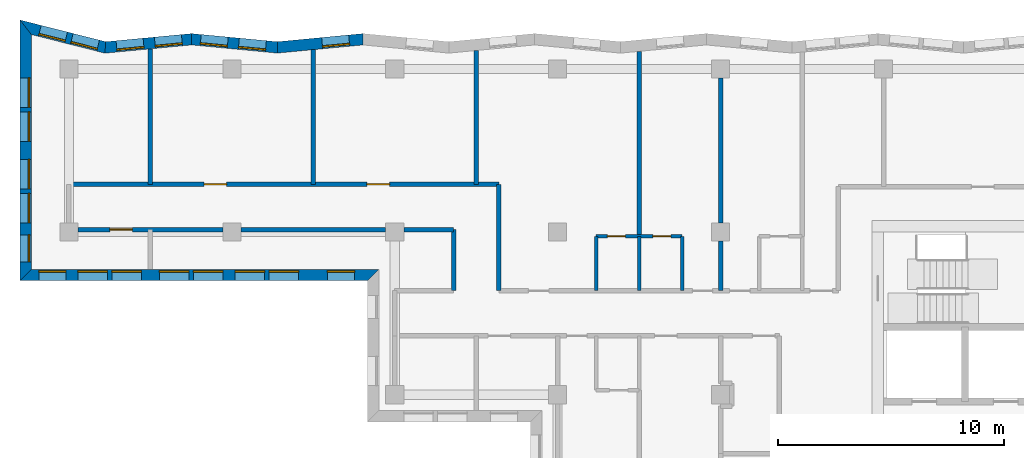
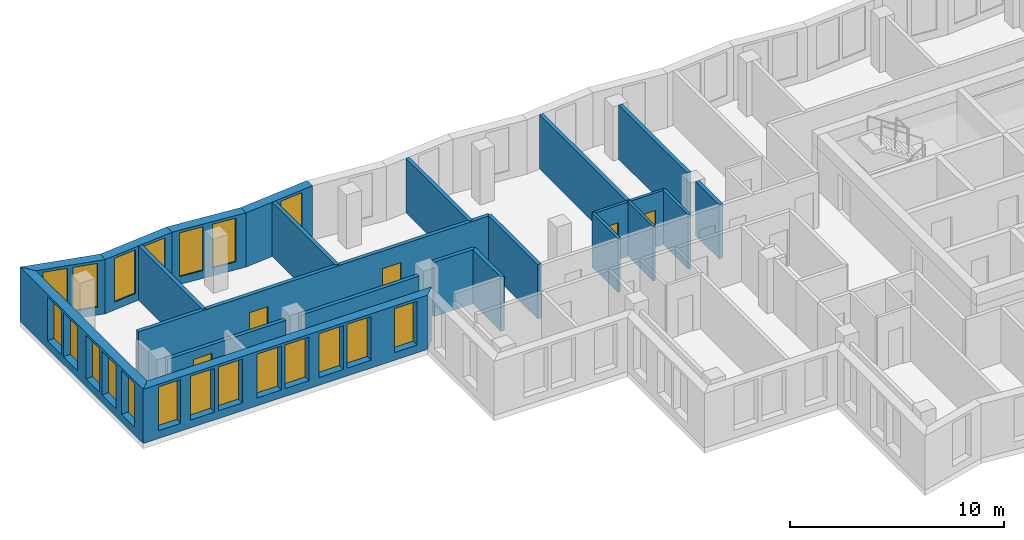
# One storey, part 5 of 11: 22 walls, 20 windows, 5 doors, 25 openings.
"""IFC4 building model written with IfcOpenShell, lengths in metres."""

from ifc_helpers import new_model, si_unit, direction, frame, frame_2d, origin, place, context, subcontext, project, spatial, polyline, rectangle, outline, extrude, material, layer, layer_set, type_object, element, fill, save


model = new_model("IFC4")

# Units and contexts
model_context = context("Model", 3, precision=1e-05, world=origin(), true_north=direction((0.0, 1.0)))
body_context = subcontext(model_context, "Body", "Model", "MODEL_VIEW")
ifc_project = project(units=[si_unit("LENGTHUNIT", "METRE"), si_unit("AREAUNIT", "SQUARE_METRE"), si_unit("VOLUMEUNIT", "CUBIC_METRE"), si_unit("PLANEANGLEUNIT", "RADIAN"), si_unit("MASSUNIT", "GRAM", prefix="KILO")], contexts=[model_context])

# Site, building, storey
site_placement = place(None, origin())
site = spatial("IfcSite", under=ifc_project, at=site_placement, CompositionType="ELEMENT")
building_placement = place(site_placement, origin())
building = spatial("IfcBuilding", under=site, at=building_placement, Name="Windrow Commons", CompositionType="ELEMENT")
storey_placement = place(building_placement, frame((0.0, 0.0, 196.4)))
storey = spatial("IfcBuildingStorey", under=building, at=storey_placement, Name="L53", CompositionType="ELEMENT", Elevation=196.4)

# Wall, opening, window
ifc_material_1 = material(Name="Brick masonry, red clay brick", Category="masonry")
ifc_layer_1 = layer(ifc_material_1, 0.5)
ifc_layer_set_1 = layer_set([ifc_layer_1], Name="Brick facade wall 500")
wall_type_1 = type_object("IfcWallType", Name="Brick facade wall 500", PredefinedType="SOLIDWALL", material=ifc_layer_set_1)
wall_1_placement = place(storey_placement, frame((34.603, 73.3099, 0.0), z_axis=(0.0, 0.0, 1.0), x_axis=(-0.9954966527, -0.0947967005, 0.0)))
wall_1 = element("IfcWall", 1, at=wall_1_placement, inside=storey, type_object=wall_type_1, Name="Brick facade wall L53 29", PredefinedType="SOLIDWALL", context=body_context, shape_type="SweptSolid", body=[
    extrude(outline(polyline([(-0.0238, -0.25), (3.7844, -0.25), (3.832, 0.25), (0.0238, 0.25), (-0.0238, -0.25)])), origin(), (0.0, 0.0, 1.0), 3.1),
])
opening_1_placement = place(wall_1_placement, frame((0.6184, 0.0, 0.45)))
opening_1 = element("IfcOpeningElement", 2, at=opening_1_placement, cuts=wall_1, Name="Opening W7E", PredefinedType="OPENING", context=body_context, shape_type="SweptSolid", body=[
    extrude(rectangle(XDim=1.2, YDim=2.5, at=frame_2d((0.6, 1.25))), frame((0.0, 0.26, 0.0), z_axis=(0.0, -1.0, 0.0), x_axis=(1.0, 0.0, 0.0)), (0.0, 0.0, 1.0), 0.52),
])
ifc_material_2 = material(Name="Clear float glass in anodised aluminium frame", Category="aluminium")
window_type_1 = type_object("IfcWindowType", Name="Window W7 notch 1200x2500", PartitioningType="SINGLE_PANEL", PredefinedType="WINDOW", material=ifc_material_2)
window_1_placement = place(opening_1_placement, origin())
window_1 = element("IfcWindow", 3, at=window_1_placement, inside=storey, type_object=window_type_1, Name="Window L53 29.1", OverallHeight=2.5, OverallWidth=1.2, PartitioningType="SINGLE_PANEL", PredefinedType="WINDOW", context=body_context, shape_type="SweptSolid", body=[
    extrude(rectangle(XDim=1.2, YDim=2.5, at=frame_2d((0.6, 1.25))), frame((0.0, 0.18, 0.0), z_axis=(0.0, -1.0, 0.0), x_axis=(1.0, 0.0, 0.0)), (0.0, 0.0, 1.0), 0.06),
])
fill(opening_1, window_1)

# Wall, openings, windows
wall_2_placement = place(storey_placement, frame((30.812, 72.9489, 0.0), z_axis=(0.0, 0.0, 1.0), x_axis=(-0.9954966527, 0.0947967005, 0.0)))
wall_2 = element("IfcWall", 4, at=wall_2_placement, inside=storey, type_object=wall_type_1, Name="Brick facade wall L53 30", PredefinedType="SOLIDWALL", context=body_context, shape_type="SweptSolid", body=[
    extrude(outline(polyline([(0.0238, -0.25), (3.832, -0.25), (3.7844, 0.25), (-0.0238, 0.25), (0.0238, -0.25)])), origin(), (0.0, 0.0, 1.0), 3.1),
])
opening_2_placement = place(wall_2_placement, frame((0.5106, 0.0, 0.45)))
opening_2 = element("IfcOpeningElement", 5, at=opening_2_placement, cuts=wall_2, Name="Opening W7E", PredefinedType="OPENING", context=body_context, shape_type="SweptSolid", body=[
    extrude(rectangle(XDim=1.2, YDim=2.5, at=frame_2d((0.6, 1.25))), frame((0.0, 0.26, 0.0), z_axis=(0.0, -1.0, 0.0), x_axis=(1.0, 0.0, 0.0)), (0.0, 0.0, 1.0), 0.52),
])
opening_3_placement = place(wall_2_placement, frame((2.2027, 0.0, 0.45)))
opening_3 = element("IfcOpeningElement", 6, at=opening_3_placement, cuts=wall_2, Name="Opening W7E", PredefinedType="OPENING", context=body_context, shape_type="SweptSolid", body=[
    extrude(rectangle(XDim=1.2, YDim=2.5, at=frame_2d((0.6, 1.25))), frame((0.0, 0.26, 0.0), z_axis=(0.0, -1.0, 0.0), x_axis=(1.0, 0.0, 0.0)), (0.0, 0.0, 1.0), 0.52),
])
window_2_placement = place(opening_2_placement, origin())
window_2 = element("IfcWindow", 7, at=window_2_placement, inside=storey, type_object=window_type_1, Name="Window L53 30.1", OverallHeight=2.5, OverallWidth=1.2, PartitioningType="SINGLE_PANEL", PredefinedType="WINDOW", context=body_context, shape_type="SweptSolid", body=[
    extrude(rectangle(XDim=1.2, YDim=2.5, at=frame_2d((0.6, 1.25))), frame((0.0, 0.18, 0.0), z_axis=(0.0, -1.0, 0.0), x_axis=(1.0, 0.0, 0.0)), (0.0, 0.0, 1.0), 0.06),
])
fill(opening_2, window_2)
window_3_placement = place(opening_3_placement, origin())
window_3 = element("IfcWindow", 8, at=window_3_placement, inside=storey, type_object=window_type_1, Name="Window L53 30.2", OverallHeight=2.5, OverallWidth=1.2, PartitioningType="SINGLE_PANEL", PredefinedType="WINDOW", context=body_context, shape_type="SweptSolid", body=[
    extrude(rectangle(XDim=1.2, YDim=2.5, at=frame_2d((0.6, 1.25))), frame((0.0, 0.18, 0.0), z_axis=(0.0, -1.0, 0.0), x_axis=(1.0, 0.0, 0.0)), (0.0, 0.0, 1.0), 0.06),
])
fill(opening_3, window_3)

wall_3_placement = place(storey_placement, frame((27.021, 73.3099, 0.0), z_axis=(0.0, 0.0, 1.0), x_axis=(-0.9954953552, -0.0948103255, 0.0)))
wall_3 = element("IfcWall", 9, at=wall_3_placement, inside=storey, type_object=wall_type_1, Name="Brick facade wall L53 31", PredefinedType="SOLIDWALL", context=body_context, shape_type="SweptSolid", body=[
    extrude(outline(polyline([(-0.0238, -0.25), (3.7844, -0.25), (3.871, 0.25), (0.0238, 0.25), (-0.0238, -0.25)])), origin(), (0.0, 0.0, 1.0), 3.1),
])
opening_4_placement = place(wall_3_placement, frame((0.4265, 0.0, 0.45)))
opening_4 = element("IfcOpeningElement", 10, at=opening_4_placement, cuts=wall_3, Name="Opening W7E", PredefinedType="OPENING", context=body_context, shape_type="SweptSolid", body=[
    extrude(rectangle(XDim=1.2, YDim=2.5, at=frame_2d((0.6, 1.25))), frame((0.0, 0.26, 0.0), z_axis=(0.0, -1.0, 0.0), x_axis=(1.0, 0.0, 0.0)), (0.0, 0.0, 1.0), 0.52),
])
opening_5_placement = place(wall_3_placement, frame((2.1285, 0.0, 0.45)))
opening_5 = element("IfcOpeningElement", 11, at=opening_5_placement, cuts=wall_3, Name="Opening W7E", PredefinedType="OPENING", context=body_context, shape_type="SweptSolid", body=[
    extrude(rectangle(XDim=1.2, YDim=2.5, at=frame_2d((0.6, 1.25))), frame((0.0, 0.26, 0.0), z_axis=(0.0, -1.0, 0.0), x_axis=(1.0, 0.0, 0.0)), (0.0, 0.0, 1.0), 0.52),
])
window_4_placement = place(opening_4_placement, origin())
window_4 = element("IfcWindow", 12, at=window_4_placement, inside=storey, type_object=window_type_1, Name="Window L53 31.1", OverallHeight=2.5, OverallWidth=1.2, PartitioningType="SINGLE_PANEL", PredefinedType="WINDOW", context=body_context, shape_type="SweptSolid", body=[
    extrude(rectangle(XDim=1.2, YDim=2.5, at=frame_2d((0.6, 1.25))), frame((0.0, 0.18, 0.0), z_axis=(0.0, -1.0, 0.0), x_axis=(1.0, 0.0, 0.0)), (0.0, 0.0, 1.0), 0.06),
])
fill(opening_4, window_4)
window_5_placement = place(opening_5_placement, origin())
window_5 = element("IfcWindow", 13, at=window_5_placement, inside=storey, type_object=window_type_1, Name="Window L53 31.2", OverallHeight=2.5, OverallWidth=1.2, PartitioningType="SINGLE_PANEL", PredefinedType="WINDOW", context=body_context, shape_type="SweptSolid", body=[
    extrude(rectangle(XDim=1.2, YDim=2.5, at=frame_2d((0.6, 1.25))), frame((0.0, 0.18, 0.0), z_axis=(0.0, -1.0, 0.0), x_axis=(1.0, 0.0, 0.0)), (0.0, 0.0, 1.0), 0.06),
])
fill(opening_5, window_5)

wall_4_placement = place(storey_placement, frame((23.2106, 72.947, 0.0), z_axis=(0.0, 0.0, 1.0), x_axis=(-0.9693406445, 0.2457208068, 0.0)))
wall_4 = element("IfcWall", 14, at=wall_4_placement, inside=storey, type_object=wall_type_1, Name="Brick facade wall L53 32", PredefinedType="SOLIDWALL", context=body_context, shape_type="SweptSolid", body=[
    extrude(outline(polyline([(0.0433, -0.25), (3.9542, -0.25), (3.3117, 0.25), (-0.0433, 0.25), (0.0433, -0.25)])), origin(), (0.0, 0.0, 1.0), 3.1),
])
opening_6_placement = place(wall_4_placement, frame((0.3308, 0.0, 0.45)))
opening_6 = element("IfcOpeningElement", 15, at=opening_6_placement, cuts=wall_4, Name="Opening W7E", PredefinedType="OPENING", context=body_context, shape_type="SweptSolid", body=[
    extrude(rectangle(XDim=1.2, YDim=2.5, at=frame_2d((0.6, 1.25))), frame((0.0, 0.26, 0.0), z_axis=(0.0, -1.0, 0.0), x_axis=(1.0, 0.0, 0.0)), (0.0, 0.0, 1.0), 0.52),
])
opening_7_placement = place(wall_4_placement, frame((1.7866, 0.0, 0.45)))
opening_7 = element("IfcOpeningElement", 16, at=opening_7_placement, cuts=wall_4, Name="Opening W7E", PredefinedType="OPENING", context=body_context, shape_type="SweptSolid", body=[
    extrude(rectangle(XDim=1.2, YDim=2.5, at=frame_2d((0.6, 1.25))), frame((0.0, 0.26, 0.0), z_axis=(0.0, -1.0, 0.0), x_axis=(1.0, 0.0, 0.0)), (0.0, 0.0, 1.0), 0.52),
])
window_6_placement = place(opening_6_placement, origin())
window_6 = element("IfcWindow", 17, at=window_6_placement, inside=storey, type_object=window_type_1, Name="Window L53 32.1", OverallHeight=2.5, OverallWidth=1.2, PartitioningType="SINGLE_PANEL", PredefinedType="WINDOW", context=body_context, shape_type="SweptSolid", body=[
    extrude(rectangle(XDim=1.2, YDim=2.5, at=frame_2d((0.6, 1.25))), frame((0.0, 0.18, 0.0), z_axis=(0.0, -1.0, 0.0), x_axis=(1.0, 0.0, 0.0)), (0.0, 0.0, 1.0), 0.06),
])
fill(opening_6, window_6)
window_7_placement = place(opening_7_placement, origin())
window_7 = element("IfcWindow", 18, at=window_7_placement, inside=storey, type_object=window_type_1, Name="Window L53 32.2", OverallHeight=2.5, OverallWidth=1.2, PartitioningType="SINGLE_PANEL", PredefinedType="WINDOW", context=body_context, shape_type="SweptSolid", body=[
    extrude(rectangle(XDim=1.2, YDim=2.5, at=frame_2d((0.6, 1.25))), frame((0.0, 0.18, 0.0), z_axis=(0.0, -1.0, 0.0), x_axis=(1.0, 0.0, 0.0)), (0.0, 0.0, 1.0), 0.06),
])
fill(opening_7, window_7)

wall_5_placement = place(storey_placement, frame((19.689, 73.8397, 0.0), z_axis=(0.0, 0.0, 1.0), x_axis=(0.0, -1.0, 0.0)))
wall_5 = element("IfcWall", 19, at=wall_5_placement, inside=storey, type_object=wall_type_1, Name="Brick facade wall L53 33", PredefinedType="SOLIDWALL", context=body_context, shape_type="SweptSolid", body=[
    extrude(outline(polyline([(-0.3213, -0.25), (11.2007, -0.25), (10.7007, 0.25), (0.3213, 0.25), (-0.3213, -0.25)])), origin(), (0.0, 0.0, 1.0), 3.1),
])
opening_8_placement = place(wall_5_placement, frame((2.2397, 0.0, 0.45)))
opening_8 = element("IfcOpeningElement", 20, at=opening_8_placement, cuts=wall_5, Name="Opening W1Q", PredefinedType="OPENING", context=body_context, shape_type="SweptSolid", body=[
    extrude(rectangle(XDim=1.3, YDim=2.5, at=frame_2d((0.65, 1.25))), frame((0.0, 0.26, 0.0), z_axis=(0.0, -1.0, 0.0), x_axis=(1.0, 0.0, 0.0)), (0.0, 0.0, 1.0), 0.52),
])
opening_9_placement = place(wall_5_placement, frame((3.7397, 0.0, 0.45)))
opening_9 = element("IfcOpeningElement", 21, at=opening_9_placement, cuts=wall_5, Name="Opening W1Q", PredefinedType="OPENING", context=body_context, shape_type="SweptSolid", body=[
    extrude(rectangle(XDim=1.3, YDim=2.5, at=frame_2d((0.65, 1.25))), frame((0.0, 0.26, 0.0), z_axis=(0.0, -1.0, 0.0), x_axis=(1.0, 0.0, 0.0)), (0.0, 0.0, 1.0), 0.52),
])
opening_10_placement = place(wall_5_placement, frame((5.8397, 0.0, 0.45)))
opening_10 = element("IfcOpeningElement", 22, at=opening_10_placement, cuts=wall_5, Name="Opening W1Q", PredefinedType="OPENING", context=body_context, shape_type="SweptSolid", body=[
    extrude(rectangle(XDim=1.3, YDim=2.5, at=frame_2d((0.65, 1.25))), frame((0.0, 0.26, 0.0), z_axis=(0.0, -1.0, 0.0), x_axis=(1.0, 0.0, 0.0)), (0.0, 0.0, 1.0), 0.52),
])
opening_11_placement = place(wall_5_placement, frame((7.3397, 0.0, 0.45)))
opening_11 = element("IfcOpeningElement", 23, at=opening_11_placement, cuts=wall_5, Name="Opening W1Q", PredefinedType="OPENING", context=body_context, shape_type="SweptSolid", body=[
    extrude(rectangle(XDim=1.3, YDim=2.5, at=frame_2d((0.65, 1.25))), frame((0.0, 0.26, 0.0), z_axis=(0.0, -1.0, 0.0), x_axis=(1.0, 0.0, 0.0)), (0.0, 0.0, 1.0), 0.52),
])
opening_12_placement = place(wall_5_placement, frame((9.1702, 0.0, 0.45)))
opening_12 = element("IfcOpeningElement", 24, at=opening_12_placement, cuts=wall_5, Name="Opening W7E", PredefinedType="OPENING", context=body_context, shape_type="SweptSolid", body=[
    extrude(rectangle(XDim=1.2, YDim=2.5, at=frame_2d((0.6, 1.25))), frame((0.0, 0.26, 0.0), z_axis=(0.0, -1.0, 0.0), x_axis=(1.0, 0.0, 0.0)), (0.0, 0.0, 1.0), 0.52),
])
ifc_material_3 = material(Name="Clear float glass in anodised aluminium frame", Category="aluminium")
window_type_2 = type_object("IfcWindowType", Name="Window W1Q pair 1300x2500", PartitioningType="SINGLE_PANEL", PredefinedType="WINDOW", material=ifc_material_3)
window_8_placement = place(opening_8_placement, origin())
window_8 = element("IfcWindow", 25, at=window_8_placement, inside=storey, type_object=window_type_2, Name="Window L53 33.1A", OverallHeight=2.5, OverallWidth=1.3, PartitioningType="SINGLE_PANEL", PredefinedType="WINDOW", context=body_context, shape_type="SweptSolid", body=[
    extrude(rectangle(XDim=1.3, YDim=2.5, at=frame_2d((0.65, 1.25))), frame((0.0, 0.18, 0.0), z_axis=(0.0, -1.0, 0.0), x_axis=(1.0, 0.0, 0.0)), (0.0, 0.0, 1.0), 0.06),
])
fill(opening_8, window_8)
window_9_placement = place(opening_9_placement, origin())
window_9 = element("IfcWindow", 26, at=window_9_placement, inside=storey, type_object=window_type_2, Name="Window L53 33.1B", OverallHeight=2.5, OverallWidth=1.3, PartitioningType="SINGLE_PANEL", PredefinedType="WINDOW", context=body_context, shape_type="SweptSolid", body=[
    extrude(rectangle(XDim=1.3, YDim=2.5, at=frame_2d((0.65, 1.25))), frame((0.0, 0.18, 0.0), z_axis=(0.0, -1.0, 0.0), x_axis=(1.0, 0.0, 0.0)), (0.0, 0.0, 1.0), 0.06),
])
fill(opening_9, window_9)
window_10_placement = place(opening_10_placement, origin())
window_10 = element("IfcWindow", 27, at=window_10_placement, inside=storey, type_object=window_type_2, Name="Window L53 33.2A", OverallHeight=2.5, OverallWidth=1.3, PartitioningType="SINGLE_PANEL", PredefinedType="WINDOW", context=body_context, shape_type="SweptSolid", body=[
    extrude(rectangle(XDim=1.3, YDim=2.5, at=frame_2d((0.65, 1.25))), frame((0.0, 0.18, 0.0), z_axis=(0.0, -1.0, 0.0), x_axis=(1.0, 0.0, 0.0)), (0.0, 0.0, 1.0), 0.06),
])
fill(opening_10, window_10)
window_11_placement = place(opening_11_placement, origin())
window_11 = element("IfcWindow", 28, at=window_11_placement, inside=storey, type_object=window_type_2, Name="Window L53 33.2B", OverallHeight=2.5, OverallWidth=1.3, PartitioningType="SINGLE_PANEL", PredefinedType="WINDOW", context=body_context, shape_type="SweptSolid", body=[
    extrude(rectangle(XDim=1.3, YDim=2.5, at=frame_2d((0.65, 1.25))), frame((0.0, 0.18, 0.0), z_axis=(0.0, -1.0, 0.0), x_axis=(1.0, 0.0, 0.0)), (0.0, 0.0, 1.0), 0.06),
])
fill(opening_11, window_11)
window_12_placement = place(opening_12_placement, origin())
window_12 = element("IfcWindow", 29, at=window_12_placement, inside=storey, type_object=window_type_1, Name="Window L53 33.3", OverallHeight=2.5, OverallWidth=1.2, PartitioningType="SINGLE_PANEL", PredefinedType="WINDOW", context=body_context, shape_type="SweptSolid", body=[
    extrude(rectangle(XDim=1.2, YDim=2.5, at=frame_2d((0.6, 1.25))), frame((0.0, 0.18, 0.0), z_axis=(0.0, -1.0, 0.0), x_axis=(1.0, 0.0, 0.0)), (0.0, 0.0, 1.0), 0.06),
])
fill(opening_12, window_12)

wall_6_placement = place(storey_placement, frame((19.689, 62.889, 0.0), z_axis=(0.0, 0.0, 1.0), x_axis=(1.0, 0.0, 0.0)))
wall_6 = element("IfcWall", 30, at=wall_6_placement, inside=storey, type_object=wall_type_1, Name="Brick facade wall L53 34", PredefinedType="SOLIDWALL", context=body_context, shape_type="SweptSolid", body=[
    extrude(outline(polyline([(-0.25, -0.25), (15.111, -0.25), (15.611, 0.25), (0.25, 0.25), (-0.25, -0.25)])), origin(), (0.0, 0.0, 1.0), 3.1),
])
opening_13_placement = place(wall_6_placement, frame((2.311, 0.0, 0.45)))
opening_13 = element("IfcOpeningElement", 31, at=opening_13_placement, cuts=wall_6, Name="Opening W1Q", PredefinedType="OPENING", context=body_context, shape_type="SweptSolid", body=[
    extrude(rectangle(XDim=1.3, YDim=2.5, at=frame_2d((0.65, 1.25))), frame((0.0, 0.26, 0.0), z_axis=(0.0, -1.0, 0.0), x_axis=(1.0, 0.0, 0.0)), (0.0, 0.0, 1.0), 0.52),
])
opening_14_placement = place(wall_6_placement, frame((3.811, 0.0, 0.45)))
opening_14 = element("IfcOpeningElement", 32, at=opening_14_placement, cuts=wall_6, Name="Opening W1Q", PredefinedType="OPENING", context=body_context, shape_type="SweptSolid", body=[
    extrude(rectangle(XDim=1.3, YDim=2.5, at=frame_2d((0.65, 1.25))), frame((0.0, 0.26, 0.0), z_axis=(0.0, -1.0, 0.0), x_axis=(1.0, 0.0, 0.0)), (0.0, 0.0, 1.0), 0.52),
])
opening_15_placement = place(wall_6_placement, frame((5.911, 0.0, 0.45)))
opening_15 = element("IfcOpeningElement", 33, at=opening_15_placement, cuts=wall_6, Name="Opening W1Q", PredefinedType="OPENING", context=body_context, shape_type="SweptSolid", body=[
    extrude(rectangle(XDim=1.3, YDim=2.5, at=frame_2d((0.65, 1.25))), frame((0.0, 0.26, 0.0), z_axis=(0.0, -1.0, 0.0), x_axis=(1.0, 0.0, 0.0)), (0.0, 0.0, 1.0), 0.52),
])
opening_16_placement = place(wall_6_placement, frame((7.411, 0.0, 0.45)))
opening_16 = element("IfcOpeningElement", 34, at=opening_16_placement, cuts=wall_6, Name="Opening W1Q", PredefinedType="OPENING", context=body_context, shape_type="SweptSolid", body=[
    extrude(rectangle(XDim=1.3, YDim=2.5, at=frame_2d((0.65, 1.25))), frame((0.0, 0.26, 0.0), z_axis=(0.0, -1.0, 0.0), x_axis=(1.0, 0.0, 0.0)), (0.0, 0.0, 1.0), 0.52),
])
opening_17_placement = place(wall_6_placement, frame((9.261, 0.0, 0.45)))
opening_17 = element("IfcOpeningElement", 35, at=opening_17_placement, cuts=wall_6, Name="Opening W1Q", PredefinedType="OPENING", context=body_context, shape_type="SweptSolid", body=[
    extrude(rectangle(XDim=1.3, YDim=2.5, at=frame_2d((0.65, 1.25))), frame((0.0, 0.26, 0.0), z_axis=(0.0, -1.0, 0.0), x_axis=(1.0, 0.0, 0.0)), (0.0, 0.0, 1.0), 0.52),
])
opening_18_placement = place(wall_6_placement, frame((10.761, 0.0, 0.45)))
opening_18 = element("IfcOpeningElement", 36, at=opening_18_placement, cuts=wall_6, Name="Opening W1Q", PredefinedType="OPENING", context=body_context, shape_type="SweptSolid", body=[
    extrude(rectangle(XDim=1.3, YDim=2.5, at=frame_2d((0.65, 1.25))), frame((0.0, 0.26, 0.0), z_axis=(0.0, -1.0, 0.0), x_axis=(1.0, 0.0, 0.0)), (0.0, 0.0, 1.0), 0.52),
])
opening_19_placement = place(wall_6_placement, frame((0.5805, 0.0, 0.45)))
opening_19 = element("IfcOpeningElement", 37, at=opening_19_placement, cuts=wall_6, Name="Opening W7E", PredefinedType="OPENING", context=body_context, shape_type="SweptSolid", body=[
    extrude(rectangle(XDim=1.2, YDim=2.5, at=frame_2d((0.6, 1.25))), frame((0.0, 0.26, 0.0), z_axis=(0.0, -1.0, 0.0), x_axis=(1.0, 0.0, 0.0)), (0.0, 0.0, 1.0), 0.52),
])
opening_20_placement = place(wall_6_placement, frame((13.336, 0.0, 0.45)))
opening_20 = element("IfcOpeningElement", 38, at=opening_20_placement, cuts=wall_6, Name="Opening W7E", PredefinedType="OPENING", context=body_context, shape_type="SweptSolid", body=[
    extrude(rectangle(XDim=1.2, YDim=2.5, at=frame_2d((0.6, 1.25))), frame((0.0, 0.26, 0.0), z_axis=(0.0, -1.0, 0.0), x_axis=(1.0, 0.0, 0.0)), (0.0, 0.0, 1.0), 0.52),
])
window_13_placement = place(opening_13_placement, origin())
window_13 = element("IfcWindow", 39, at=window_13_placement, inside=storey, type_object=window_type_2, Name="Window L53 34.1A", OverallHeight=2.5, OverallWidth=1.3, PartitioningType="SINGLE_PANEL", PredefinedType="WINDOW", context=body_context, shape_type="SweptSolid", body=[
    extrude(rectangle(XDim=1.3, YDim=2.5, at=frame_2d((0.65, 1.25))), frame((0.0, 0.18, 0.0), z_axis=(0.0, -1.0, 0.0), x_axis=(1.0, 0.0, 0.0)), (0.0, 0.0, 1.0), 0.06),
])
fill(opening_13, window_13)
window_14_placement = place(opening_14_placement, origin())
window_14 = element("IfcWindow", 40, at=window_14_placement, inside=storey, type_object=window_type_2, Name="Window L53 34.1B", OverallHeight=2.5, OverallWidth=1.3, PartitioningType="SINGLE_PANEL", PredefinedType="WINDOW", context=body_context, shape_type="SweptSolid", body=[
    extrude(rectangle(XDim=1.3, YDim=2.5, at=frame_2d((0.65, 1.25))), frame((0.0, 0.18, 0.0), z_axis=(0.0, -1.0, 0.0), x_axis=(1.0, 0.0, 0.0)), (0.0, 0.0, 1.0), 0.06),
])
fill(opening_14, window_14)
window_15_placement = place(opening_15_placement, origin())
window_15 = element("IfcWindow", 41, at=window_15_placement, inside=storey, type_object=window_type_2, Name="Window L53 34.2A", OverallHeight=2.5, OverallWidth=1.3, PartitioningType="SINGLE_PANEL", PredefinedType="WINDOW", context=body_context, shape_type="SweptSolid", body=[
    extrude(rectangle(XDim=1.3, YDim=2.5, at=frame_2d((0.65, 1.25))), frame((0.0, 0.18, 0.0), z_axis=(0.0, -1.0, 0.0), x_axis=(1.0, 0.0, 0.0)), (0.0, 0.0, 1.0), 0.06),
])
fill(opening_15, window_15)
window_16_placement = place(opening_16_placement, origin())
window_16 = element("IfcWindow", 42, at=window_16_placement, inside=storey, type_object=window_type_2, Name="Window L53 34.2B", OverallHeight=2.5, OverallWidth=1.3, PartitioningType="SINGLE_PANEL", PredefinedType="WINDOW", context=body_context, shape_type="SweptSolid", body=[
    extrude(rectangle(XDim=1.3, YDim=2.5, at=frame_2d((0.65, 1.25))), frame((0.0, 0.18, 0.0), z_axis=(0.0, -1.0, 0.0), x_axis=(1.0, 0.0, 0.0)), (0.0, 0.0, 1.0), 0.06),
])
fill(opening_16, window_16)
window_17_placement = place(opening_17_placement, origin())
window_17 = element("IfcWindow", 43, at=window_17_placement, inside=storey, type_object=window_type_2, Name="Window L53 34.3A", OverallHeight=2.5, OverallWidth=1.3, PartitioningType="SINGLE_PANEL", PredefinedType="WINDOW", context=body_context, shape_type="SweptSolid", body=[
    extrude(rectangle(XDim=1.3, YDim=2.5, at=frame_2d((0.65, 1.25))), frame((0.0, 0.18, 0.0), z_axis=(0.0, -1.0, 0.0), x_axis=(1.0, 0.0, 0.0)), (0.0, 0.0, 1.0), 0.06),
])
fill(opening_17, window_17)
window_18_placement = place(opening_18_placement, origin())
window_18 = element("IfcWindow", 44, at=window_18_placement, inside=storey, type_object=window_type_2, Name="Window L53 34.3B", OverallHeight=2.5, OverallWidth=1.3, PartitioningType="SINGLE_PANEL", PredefinedType="WINDOW", context=body_context, shape_type="SweptSolid", body=[
    extrude(rectangle(XDim=1.3, YDim=2.5, at=frame_2d((0.65, 1.25))), frame((0.0, 0.18, 0.0), z_axis=(0.0, -1.0, 0.0), x_axis=(1.0, 0.0, 0.0)), (0.0, 0.0, 1.0), 0.06),
])
fill(opening_18, window_18)
window_19_placement = place(opening_19_placement, origin())
window_19 = element("IfcWindow", 45, at=window_19_placement, inside=storey, type_object=window_type_1, Name="Window L53 34.4", OverallHeight=2.5, OverallWidth=1.2, PartitioningType="SINGLE_PANEL", PredefinedType="WINDOW", context=body_context, shape_type="SweptSolid", body=[
    extrude(rectangle(XDim=1.2, YDim=2.5, at=frame_2d((0.6, 1.25))), frame((0.0, 0.18, 0.0), z_axis=(0.0, -1.0, 0.0), x_axis=(1.0, 0.0, 0.0)), (0.0, 0.0, 1.0), 0.06),
])
fill(opening_19, window_19)
window_20_placement = place(opening_20_placement, origin())
window_20 = element("IfcWindow", 46, at=window_20_placement, inside=storey, type_object=window_type_1, Name="Window L53 34.5", OverallHeight=2.5, OverallWidth=1.2, PartitioningType="SINGLE_PANEL", PredefinedType="WINDOW", context=body_context, shape_type="SweptSolid", body=[
    extrude(rectangle(XDim=1.2, YDim=2.5, at=frame_2d((0.6, 1.25))), frame((0.0, 0.18, 0.0), z_axis=(0.0, -1.0, 0.0), x_axis=(1.0, 0.0, 0.0)), (0.0, 0.0, 1.0), 0.06),
])
fill(opening_20, window_20)

# Wall, openings, doors
ifc_material_4 = material(Name="Blockwork partition", Category="masonry")
ifc_layer_2 = layer(ifc_material_4, 0.2)
ifc_layer_set_2 = layer_set([ifc_layer_2], Name="IW-CORRIDOR-200")
wall_type_2 = type_object("IfcWallType", Name="IW-CORRIDOR-200", PredefinedType="PARTITIONING", material=ifc_layer_set_2)
wall_7_placement = place(storey_placement, frame((21.602, 66.9, 0.0), z_axis=(0.0, 0.0, 1.0), x_axis=(1.0, 0.0, 0.0)))
wall_7 = element("IfcWall", 47, at=wall_7_placement, inside=storey, type_object=wall_type_2, Name="W-L53-W000", PredefinedType="PARTITIONING", context=body_context, shape_type="SweptSolid", body=[
    extrude(rectangle(XDim=18.998, YDim=0.2, at=frame_2d((9.499, 0.0))), origin(), (0.0, 0.0, 1.0), 3.1),
])
opening_21_placement = place(wall_7_placement, frame((5.9717, 0.0, 0.0)))
opening_21 = element("IfcOpeningElement", 48, at=opening_21_placement, cuts=wall_7, Name="Opening D310F", PredefinedType="OPENING", context=body_context, shape_type="SweptSolid", body=[
    extrude(rectangle(XDim=1.0, YDim=2.1, at=frame_2d((0.5, 1.05))), frame((0.0, 0.11, 0.0), z_axis=(0.0, -1.0, 0.0), x_axis=(1.0, 0.0, 0.0)), (0.0, 0.0, 1.0), 0.22),
])
opening_22_placement = place(wall_7_placement, frame((13.1717, 0.0, 0.0)))
opening_22 = element("IfcOpeningElement", 49, at=opening_22_placement, cuts=wall_7, Name="Opening D310F", PredefinedType="OPENING", context=body_context, shape_type="SweptSolid", body=[
    extrude(rectangle(XDim=1.0, YDim=2.1, at=frame_2d((0.5, 1.05))), frame((0.0, 0.11, 0.0), z_axis=(0.0, -1.0, 0.0), x_axis=(1.0, 0.0, 0.0)), (0.0, 0.0, 1.0), 0.22),
])
ifc_material_5 = material(Name="Timber door leaf", Category="wood")
door_type_1 = type_object("IfcDoorType", Name="DT-AMENITY-1000", OperationType="SINGLE_SWING_LEFT", PredefinedType="DOOR", material=ifc_material_5)
door_1_placement = place(opening_21_placement, origin())
door_1 = element("IfcDoor", 50, at=door_1_placement, inside=storey, type_object=door_type_1, Name="D-L53-D002", OperationType="SINGLE_SWING_LEFT", OverallHeight=2.1, OverallWidth=1.0, PredefinedType="DOOR", context=body_context, shape_type="SweptSolid", body=[
    extrude(rectangle(XDim=1.0, YDim=2.1, at=frame_2d((0.5, 1.05))), frame((0.0, 0.025, 0.0), z_axis=(0.0, -1.0, 0.0), x_axis=(1.0, 0.0, 0.0)), (0.0, 0.0, 1.0), 0.05),
])
fill(opening_21, door_1)
door_2_placement = place(opening_22_placement, origin())
door_2 = element("IfcDoor", 51, at=door_2_placement, inside=storey, type_object=door_type_1, Name="D-L53-D003", OperationType="SINGLE_SWING_LEFT", OverallHeight=2.1, OverallWidth=1.0, PredefinedType="DOOR", context=body_context, shape_type="SweptSolid", body=[
    extrude(rectangle(XDim=1.0, YDim=2.1, at=frame_2d((0.5, 1.05))), frame((0.0, 0.025, 0.0), z_axis=(0.0, -1.0, 0.0), x_axis=(1.0, 0.0, 0.0)), (0.0, 0.0, 1.0), 0.05),
])
fill(opening_22, door_2)

# Wall
wall_8_placement = place(storey_placement, frame((29.2, 64.9, 0.0), z_axis=(0.0, 0.0, 1.0), x_axis=(1.0, 0.0, 0.0)))
element("IfcWall", 52, at=wall_8_placement, inside=storey, type_object=wall_type_2, Name="W-L53-W018", PredefinedType="PARTITIONING", context=body_context, shape_type="SweptSolid", body=[
    extrude(rectangle(XDim=6.4, YDim=0.2, at=frame_2d((3.2, 0.0))), origin(), (0.0, 0.0, 1.0), 2.6),
])

# Wall, opening, door
wall_9_placement = place(storey_placement, frame((22.0, 64.9, 0.0), z_axis=(0.0, 0.0, 1.0), x_axis=(1.0, 0.0, 0.0)))
wall_9 = element("IfcWall", 53, at=wall_9_placement, inside=storey, type_object=wall_type_2, Name="W-L53-W019", PredefinedType="PARTITIONING", context=body_context, shape_type="SweptSolid", body=[
    extrude(rectangle(XDim=6.4, YDim=0.2, at=frame_2d((3.2, 0.0))), origin(), (0.0, 0.0, 1.0), 2.6),
])
opening_23_placement = place(wall_9_placement, frame((1.4072, 0.0, 0.0)))
opening_23 = element("IfcOpeningElement", 54, at=opening_23_placement, cuts=wall_9, Name="Opening D310F", PredefinedType="OPENING", context=body_context, shape_type="SweptSolid", body=[
    extrude(rectangle(XDim=1.0, YDim=2.1, at=frame_2d((0.5, 1.05))), frame((0.0, 0.11, 0.0), z_axis=(0.0, -1.0, 0.0), x_axis=(1.0, 0.0, 0.0)), (0.0, 0.0, 1.0), 0.22),
])
door_3_placement = place(opening_23_placement, origin())
door_3 = element("IfcDoor", 55, at=door_3_placement, inside=storey, type_object=door_type_1, Name="D-L53-D001", OperationType="SINGLE_SWING_RIGHT", OverallHeight=2.1, OverallWidth=1.0, PredefinedType="DOOR", context=body_context, shape_type="SweptSolid", body=[
    extrude(rectangle(XDim=1.0, YDim=2.1, at=frame_2d((0.5, 1.05))), frame((0.0, 0.025, 0.0), z_axis=(0.0, -1.0, 0.0), x_axis=(1.0, 0.0, 0.0)), (0.0, 0.0, 1.0), 0.05),
])
fill(opening_23, door_3)

# Walls
wall_10_placement = place(storey_placement, frame((40.6, 62.202, 0.0), z_axis=(0.0, 0.0, 1.0), x_axis=(0.0, 1.0, 0.0)))
element("IfcWall", 56, at=wall_10_placement, inside=storey, type_object=wall_type_2, Name="W-L53-W041", PredefinedType="PARTITIONING", context=body_context, shape_type="SweptSolid", body=[
    extrude(rectangle(XDim=4.696, YDim=0.2, at=frame_2d((2.348, 0.0))), origin(), (0.0, 0.0, 1.0), 3.1),
])
wall_11_placement = place(storey_placement, frame((38.6, 62.202, 0.0), z_axis=(0.0, 0.0, 1.0), x_axis=(0.0, 1.0, 0.0)))
element("IfcWall", 57, at=wall_11_placement, inside=storey, type_object=wall_type_2, Name="W-L53-W056", PredefinedType="PARTITIONING", context=body_context, shape_type="SweptSolid", body=[
    extrude(rectangle(XDim=2.698, YDim=0.2, at=frame_2d((1.349, 0.0))), origin(), (0.0, 0.0, 1.0), 3.1),
])
wall_12_placement = place(storey_placement, frame((36.4, 64.9, 0.0), z_axis=(0.0, 0.0, 1.0), x_axis=(1.0, 0.0, 0.0)))
element("IfcWall", 58, at=wall_12_placement, inside=storey, type_object=wall_type_2, Name="W-L53-W086", PredefinedType="PARTITIONING", context=body_context, shape_type="SweptSolid", body=[
    extrude(rectangle(XDim=2.2, YDim=0.2, at=frame_2d((1.1, 0.0))), origin(), (0.0, 0.0, 1.0), 3.1),
])

# Wall, openings, doors
ifc_material_6 = material(Name="Blockwork partition", Category="masonry")
ifc_layer_3 = layer(ifc_material_6, 0.15)
ifc_layer_set_3 = layer_set([ifc_layer_3], Name="IW-ENSUITE-150")
wall_type_3 = type_object("IfcWallType", Name="IW-ENSUITE-150", PredefinedType="PARTITIONING", material=ifc_layer_set_3)
wall_13_placement = place(storey_placement, frame((44.9, 64.6, 0.0), z_axis=(0.0, 0.0, 1.0), x_axis=(1.0, 0.0, 0.0)))
wall_13 = element("IfcWall", 59, at=wall_13_placement, inside=storey, type_object=wall_type_3, Name="W-L53-W048", PredefinedType="PARTITIONING", context=body_context, shape_type="SweptSolid", body=[
    extrude(rectangle(XDim=3.8, YDim=0.15, at=frame_2d((1.9, 0.0))), origin(), (0.0, 0.0, 1.0), 3.1),
])
opening_24_placement = place(wall_13_placement, frame((0.4931, 0.0, 0.0)))
opening_24 = element("IfcOpeningElement", 60, at=opening_24_placement, cuts=wall_13, Name="Opening D208N", PredefinedType="OPENING", context=body_context, shape_type="SweptSolid", body=[
    extrude(rectangle(XDim=0.8, YDim=2.1, at=frame_2d((0.4, 1.05))), frame((0.0, 0.085, 0.0), z_axis=(0.0, -1.0, 0.0), x_axis=(1.0, 0.0, 0.0)), (0.0, 0.0, 1.0), 0.17),
])
opening_25_placement = place(wall_13_placement, frame((2.5069, 0.0, 0.0)))
opening_25 = element("IfcOpeningElement", 61, at=opening_25_placement, cuts=wall_13, Name="Opening D208N", PredefinedType="OPENING", context=body_context, shape_type="SweptSolid", body=[
    extrude(rectangle(XDim=0.8, YDim=2.1, at=frame_2d((0.4, 1.05))), frame((0.0, 0.085, 0.0), z_axis=(0.0, -1.0, 0.0), x_axis=(1.0, 0.0, 0.0)), (0.0, 0.0, 1.0), 0.17),
])
ifc_material_7 = material(Name="Timber door leaf", Category="wood")
door_type_2 = type_object("IfcDoorType", Name="DT-ENSUITE-800", OperationType="SINGLE_SWING_LEFT", PredefinedType="DOOR", material=ifc_material_7)
door_4_placement = place(opening_24_placement, origin())
door_4 = element("IfcDoor", 62, at=door_4_placement, inside=storey, type_object=door_type_2, Name="D-L53-D011", OperationType="SINGLE_SWING_RIGHT", OverallHeight=2.1, OverallWidth=0.8, PredefinedType="DOOR", context=body_context, shape_type="SweptSolid", body=[
    extrude(rectangle(XDim=0.8, YDim=2.1, at=frame_2d((0.4, 1.05))), frame((0.0, 0.025, 0.0), z_axis=(0.0, -1.0, 0.0), x_axis=(1.0, 0.0, 0.0)), (0.0, 0.0, 1.0), 0.05),
])
fill(opening_24, door_4)
door_5_placement = place(opening_25_placement, origin())
door_5 = element("IfcDoor", 63, at=door_5_placement, inside=storey, type_object=door_type_2, Name="D-L53-D013", OperationType="SINGLE_SWING_RIGHT", OverallHeight=2.1, OverallWidth=0.8, PredefinedType="DOOR", context=body_context, shape_type="SweptSolid", body=[
    extrude(rectangle(XDim=0.8, YDim=2.1, at=frame_2d((0.4, 1.05))), frame((0.0, 0.025, 0.0), z_axis=(0.0, -1.0, 0.0), x_axis=(1.0, 0.0, 0.0)), (0.0, 0.0, 1.0), 0.05),
])
fill(opening_25, door_5)

# Walls
for number, where, z_axis, x_axis, name in (
    (64, (44.9, 62.2, 0.0), (0.0, 0.0, 1.0), (0.0, 1.0, 0.0), "W-L53-W074"),
    (65, (46.8, 62.2, 0.0), (0.0, 0.0, 1.0), (0.0, 1.0, 0.0), "W-L53-W075"),
    (66, (48.7, 62.2, 0.0), (0.0, 0.0, 1.0), (0.0, 1.0, 0.0), "W-L53-W076"),
):
    element("IfcWall", number, at=place(storey_placement, frame(where, z_axis=z_axis, x_axis=x_axis)), inside=storey, type_object=wall_type_3, Name=name, PredefinedType="PARTITIONING", context=body_context, shape_type="SweptSolid", body=[
        extrude(rectangle(XDim=2.4, YDim=0.15, at=frame_2d((1.2, 0.0))), origin(), (0.0, 0.0, 1.0), 3.1),
    ])
ifc_material_8 = material(Name="Blockwork partition", Category="masonry")
ifc_layer_4 = layer(ifc_material_8, 0.2)
ifc_layer_set_4 = layer_set([ifc_layer_4], Name="IW-PARTY-200")
wall_type_4 = type_object("IfcWallType", Name="IW-PARTY-200", PredefinedType="PARTITIONING", material=ifc_layer_set_4)
wall_14_placement = place(storey_placement, frame((46.8, 64.6, 0.0), z_axis=(0.0, 0.0, 1.0), x_axis=(0.0, 1.0, 0.0)))
element("IfcWall", 67, at=wall_14_placement, inside=storey, type_object=wall_type_4, Name="W-L53-W012", PredefinedType="PARTITIONING", context=body_context, shape_type="SweptSolid", body=[
    extrude(rectangle(XDim=8.1762, YDim=0.2, at=frame_2d((4.0881, 0.0))), origin(), (0.0, 0.0, 1.0), 3.1),
])
wall_15_placement = place(storey_placement, frame((50.4, 65.2, 0.0), z_axis=(0.0, 0.0, 1.0), x_axis=(0.0, 1.0, 0.0)))
element("IfcWall", 68, at=wall_15_placement, inside=storey, type_object=wall_type_4, Name="W-L53-W021", PredefinedType="PARTITIONING", context=body_context, shape_type="SweptSolid", body=[
    extrude(rectangle(XDim=6.4, YDim=0.2, at=frame_2d((3.2, 0.0))), origin(), (0.0, 0.0, 1.0), 3.1),
])
wall_16_placement = place(storey_placement, frame((25.2, 66.9, 0.0), z_axis=(0.0, 0.0, 1.0), x_axis=(0.0, 1.0, 0.0)))
element("IfcWall", 69, at=wall_16_placement, inside=storey, type_object=wall_type_4, Name="W-L53-W025", PredefinedType="PARTITIONING", context=body_context, shape_type="SweptSolid", body=[
    extrude(rectangle(XDim=5.9853, YDim=0.2, at=frame_2d((2.9926, 0.0))), origin(), (0.0, 0.0, 1.0), 3.1),
])
wall_17_placement = place(storey_placement, frame((32.4, 66.9, 0.0), z_axis=(0.0, 0.0, 1.0), x_axis=(0.0, 1.0, 0.0)))
element("IfcWall", 70, at=wall_17_placement, inside=storey, type_object=wall_type_4, Name="W-L53-W026", PredefinedType="PARTITIONING", context=body_context, shape_type="SweptSolid", body=[
    extrude(rectangle(XDim=5.949, YDim=0.2, at=frame_2d((2.9745, 0.0))), origin(), (0.0, 0.0, 1.0), 3.1),
])
wall_18_placement = place(storey_placement, frame((39.6, 66.9, 0.0), z_axis=(0.0, 0.0, 1.0), x_axis=(0.0, 1.0, 0.0)))
element("IfcWall", 71, at=wall_18_placement, inside=storey, type_object=wall_type_4, Name="W-L53-W027", PredefinedType="PARTITIONING", context=body_context, shape_type="SweptSolid", body=[
    extrude(rectangle(XDim=5.9126, YDim=0.2, at=frame_2d((2.9563, 0.0))), origin(), (0.0, 0.0, 1.0), 3.1),
])
wall_19_placement = place(storey_placement, frame((50.4, 62.2, 0.0), z_axis=(0.0, 0.0, 1.0), x_axis=(0.0, 1.0, 0.0)))
element("IfcWall", 72, at=wall_19_placement, inside=storey, type_object=wall_type_4, Name="W-L53-W090", PredefinedType="PARTITIONING", context=body_context, shape_type="SweptSolid", body=[
    extrude(rectangle(XDim=2.2, YDim=0.2, at=frame_2d((1.1, 0.0))), origin(), (0.0, 0.0, 1.0), 3.1),
])

save(model, "model.ifc")
